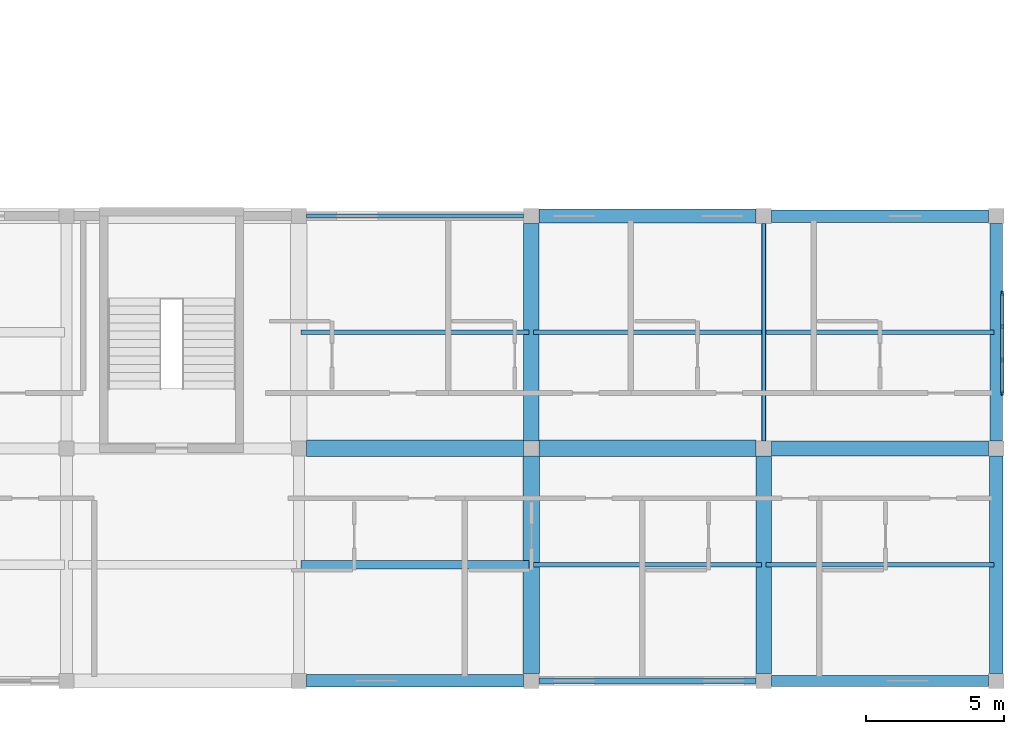
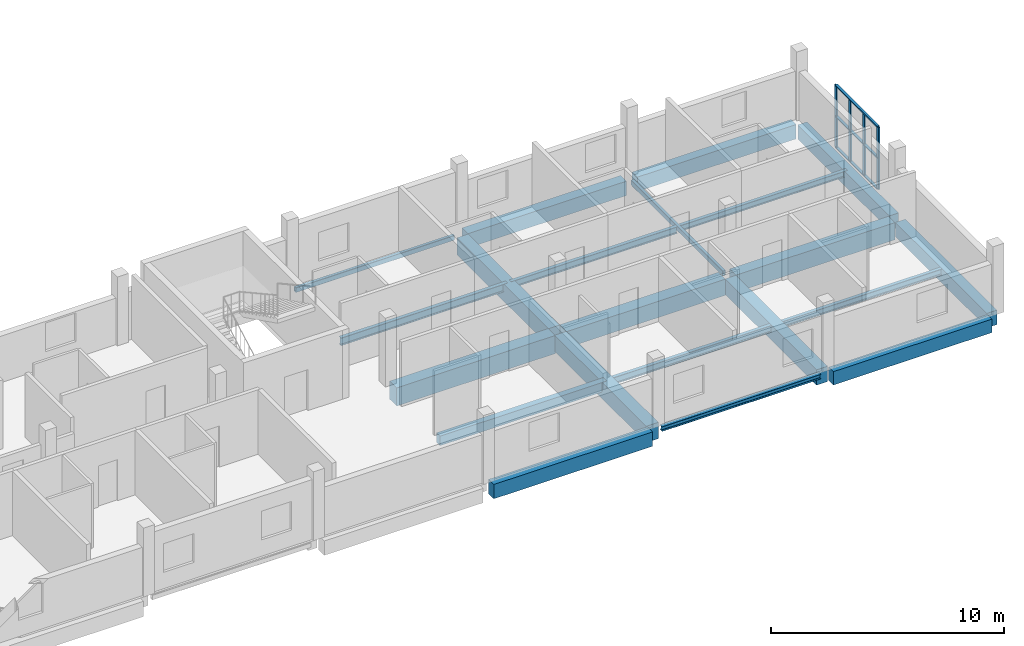
# One storey, part 5 of 20: 21 beams, 7 members, 1 element without a shape of its own.
"""IFC4 building model written with IfcOpenShell, lengths in metres."""

import ifcopenshell
import ifcopenshell.guid

model = None  # the IFC model being written
_history = None  # IfcOwnerHistory: only IFC2X3 demands one
_inside = {}  # id of a spatial element -> (the spatial element, [elements in it])
_under = {}  # id of a project, library or spatial element -> (it, [spatial elements below it])
_declared = {}  # id of a project -> (the project, [libraries it declares])
_typed = {}  # id of a type object -> (the type object, [elements of that type])
_made_of = {}  # id of a material, layer set ... -> (it, [elements and type objects made of it])


def new_model(schema):
    """Start an empty IFC model of exactly this schema.

    Asked for "IFC4X3", IfcOpenShell would pick the latest addendum, in which some entities
    have other attributes; the version numbers below select the first issue.
    IFC2X3 requires an IfcOwnerHistory on every rooted entity: one is made here for all.
    """
    global model, _history
    if schema == "IFC4X3":
        model = ifcopenshell.file(schema_version=(4, 3, 0, 0))
    else:
        model = ifcopenshell.file(schema=schema)
    _inside.clear()
    _under.clear()
    _declared.clear()
    _typed.clear()
    _made_of.clear()
    _history = None
    if model.schema == "IFC2X3":
        org = make("IfcOrganization", Name="unknown")
        user = make(
            "IfcPersonAndOrganization",
            ThePerson=make("IfcPerson", FamilyName="unknown"),
            TheOrganization=org,
        )
        app = make(
            "IfcApplication",
            ApplicationDeveloper=org,
            Version="unknown",
            ApplicationFullName="unknown",
            ApplicationIdentifier="unknown",
        )
        _history = make(
            "IfcOwnerHistory",
            OwningUser=user,
            OwningApplication=app,
            ChangeAction="ADDED",
            CreationDate=0,
        )
    return model


def make(cls, **values):
    """One entity of the class cls with the attributes given. An attribute that is None is left unset."""
    return model.create_entity(
        cls, **{name: value for name, value in values.items() if value is not None}
    )


def rooted(cls, **values):
    """An entity with a GlobalId (a new one), such as an element, a storey or a relation."""
    return make(cls, GlobalId=ifcopenshell.guid.new(), OwnerHistory=_history, **values)


def si_unit(unit_type, name, prefix=None):
    """IfcSIUnit, for example si_unit("LENGTHUNIT", "METRE", prefix="MILLI")."""
    return make("IfcSIUnit", UnitType=unit_type, Prefix=prefix, Name=name)


def derived_unit(unit_type, elements):
    """IfcDerivedUnit: a product of units, each with its exponent."""
    return make(
        "IfcDerivedUnit",
        Elements=[
            make("IfcDerivedUnitElement", Unit=unit, Exponent=power)
            for unit, power in elements
        ],
        UnitType=unit_type,
    )


def assignment(units):
    """IfcUnitAssignment: the units of a project."""
    return None if units is None else make("IfcUnitAssignment", Units=units)


def point(xyz):
    """IfcCartesianPoint."""
    return None if xyz is None else make("IfcCartesianPoint", Coordinates=xyz)


def direction(xyz):
    """IfcDirection."""
    return None if xyz is None else make("IfcDirection", DirectionRatios=xyz)


def frame(location, z_axis=None, x_axis=None):
    """IfcAxis2Placement3D, a coordinate frame: its origin and axes. An axis left out is left unset."""
    return make(
        "IfcAxis2Placement3D",
        Location=point(location),
        Axis=direction(z_axis),
        RefDirection=direction(x_axis),
    )


def frame_2d(location, x_axis=None):
    """IfcAxis2Placement2D, a coordinate frame in the plane: its origin and x axis."""
    return make(
        "IfcAxis2Placement2D", Location=point(location), RefDirection=direction(x_axis)
    )


def origin():
    """The frame at (0, 0, 0) with its axes left unset."""
    return frame((0.0, 0.0, 0.0))


def origin_2d():
    """The frame at (0, 0) in the plane with its x axis left unset."""
    return frame_2d((0.0, 0.0))


def place(relative_to, where):
    """IfcLocalPlacement: puts the frame where relative to a parent placement (None: the world)."""
    return make(
        "IfcLocalPlacement", PlacementRelTo=relative_to, RelativePlacement=where
    )


def context(
    kind, dimensions, precision=None, world=None, true_north=None, identifier=None
):
    """IfcGeometricRepresentationContext, for example the 3D "Model" context."""
    return make(
        "IfcGeometricRepresentationContext",
        ContextIdentifier=identifier,
        ContextType=kind,
        CoordinateSpaceDimension=dimensions,
        Precision=precision,
        WorldCoordinateSystem=world,
        TrueNorth=true_north,
    )


def subcontext(parent, identifier, kind, view, scale=None):
    """IfcGeometricRepresentationSubContext, for example "Body" below "Model"."""
    return make(
        "IfcGeometricRepresentationSubContext",
        ContextIdentifier=identifier,
        ContextType=kind,
        ParentContext=parent,
        TargetScale=scale,
        TargetView=view,
    )


def project(units=None, contexts=None):
    """IfcProject with its units and contexts."""
    return rooted(
        "IfcProject",
        Name="project",
        RepresentationContexts=contexts,
        UnitsInContext=assignment(units),
    )


def spatial(cls, under=None, at=None, **own):
    """A site, building, storey or space (cls), placed at a placement, below another one or the project."""
    s = rooted(cls, ObjectPlacement=at, **own)
    if under is not None:
        _under.setdefault(under.id(), (under, []))[1].append(s)
    return s


def profile(cls, at=None, kind="AREA", **sizes):
    """A parametric profile (cls). Its sizes go by their IFC names, for example OverallWidth=200.0."""
    return make(cls, ProfileType=kind, Position=at, **sizes)


def rectangle(**sizes):
    """IfcRectangleProfileDef."""
    return profile("IfcRectangleProfileDef", **sizes)


def hollow_rectangle(**sizes):
    """IfcRectangleHollowProfileDef."""
    return profile("IfcRectangleHollowProfileDef", **sizes)


def i_section(**sizes):
    """IfcIShapeProfileDef."""
    return profile("IfcIShapeProfileDef", **sizes)


def extrude(swept, where, along, depth):
    """IfcExtrudedAreaSolid: the profile swept, set in the frame where, extruded along a direction by depth."""
    return make(
        "IfcExtrudedAreaSolid",
        SweptArea=swept,
        Position=where,
        ExtrudedDirection=direction(along),
        Depth=depth,
    )


def shape(context_of_items, identifier, shape_type, items):
    """IfcShapeRepresentation: the items that make up one representation, for example the "Body"."""
    return make(
        "IfcShapeRepresentation",
        ContextOfItems=context_of_items,
        RepresentationIdentifier=identifier,
        RepresentationType=shape_type,
        Items=items,
    )


def material(Name=None, Category=None):
    """IfcMaterial."""
    return make("IfcMaterial", Name=Name, Category=Category)


def material_profile(
    of_material, cross_section, Name=None, Category=None, Priority=None
):
    """IfcMaterialProfile: a cross section and its material."""
    return make(
        "IfcMaterialProfile",
        Name=Name,
        Material=of_material,
        Profile=cross_section,
        Priority=Priority,
        Category=Category,
    )


def profile_set(profiles, Name=None, composite=None):
    """IfcMaterialProfileSet."""
    return make(
        "IfcMaterialProfileSet",
        Name=Name,
        MaterialProfiles=profiles,
        CompositeProfile=composite,
    )


def made_of(thing, what):
    """Note that an element or type object is made of a material, layer set ...; save() writes the relation."""
    if what is not None:
        _made_of.setdefault(what.id(), (what, []))[1].append(thing)
    return thing


def type_object(cls, material=None, **own):
    """A type object (cls), such as IfcWallType, which elements share."""
    return made_of(rooted(cls, **own), material)


def element(
    cls,
    number,
    at=None,
    inside=None,
    cuts=None,
    type_object=None,
    material=None,
    context=None,
    identifier="Body",
    shape_type=None,
    held_by="IfcProductDefinitionShape",
    body=None,
    shapes=None,
    **own,
):
    """One element of the class cls, such as IfcWall. Its Tag is "e" and its number.

    at: its placement. inside: the storey or other place that contains it. cuts: it is an
    opening in that element (IfcRelVoidsElement). A single representation is given by context,
    identifier, shape_type and body (its items); several are given by shapes. held_by: the class
    of the entity that holds the representations. save() writes the other relations.
    """
    e = rooted(cls, Tag="e%d" % number, ObjectPlacement=at, **own)
    if body is not None:
        shapes = [shape(context, identifier, shape_type, body)]
    if shapes is not None:
        e.Representation = make(held_by, Representations=shapes)
    if inside is not None:
        _inside.setdefault(inside.id(), (inside, []))[1].append(e)
    if cuts is not None:
        rooted(
            "IfcRelVoidsElement", RelatingBuildingElement=cuts, RelatedOpeningElement=e
        )
    if type_object is not None:
        _typed.setdefault(type_object.id(), (type_object, []))[1].append(e)
    return made_of(e, material)


def aggregate(whole, parts):
    """IfcRelAggregates: a whole, such as a stair, and the parts it consists of."""
    return rooted("IfcRelAggregates", RelatingObject=whole, RelatedObjects=parts)


def save(model, path):
    """Write the relations noted so far, then the file.

    IfcRelAggregates (storeys below a building ...), IfcRelContainedInSpatialStructure (elements
    in a storey), IfcRelDefinesByType, IfcRelAssociatesMaterial and IfcRelDeclares: one each for
    every whole, place, type object, material and project.
    """
    for whole, parts in _under.values():
        aggregate(whole, parts)
    for where, things in _inside.values():
        rooted(
            "IfcRelContainedInSpatialStructure",
            RelatedElements=things,
            RelatingStructure=where,
        )
    for kind, things in _typed.values():
        rooted("IfcRelDefinesByType", RelatedObjects=things, RelatingType=kind)
    for what, things in _made_of.values():
        rooted("IfcRelAssociatesMaterial", RelatedObjects=things, RelatingMaterial=what)
    for by, libraries in _declared.values():
        rooted("IfcRelDeclares", RelatingContext=by, RelatedDefinitions=libraries)
    model.write(path)


model = new_model("IFC4")

# Units and contexts
model_context = context("Model", 3, precision=1e-05, world=origin(), true_north=direction((0.0, 1.0)))
body_context = subcontext(model_context, "Body", "Model", "MODEL_VIEW")
ifc_project = project(units=[si_unit("LENGTHUNIT", "METRE"), si_unit("AREAUNIT", "SQUARE_METRE"), si_unit("VOLUMEUNIT", "CUBIC_METRE"), si_unit("PLANEANGLEUNIT", "RADIAN"), si_unit("MASSUNIT", "GRAM", prefix="KILO"), derived_unit("THERMALTRANSMITTANCEUNIT", [(si_unit("POWERUNIT", "WATT"), 1), (si_unit("LENGTHUNIT", "METRE"), -2), (si_unit("THERMODYNAMICTEMPERATUREUNIT", "KELVIN"), -1)])], contexts=[model_context])

# Site, building, storey
site_placement = place(None, origin())
site = spatial("IfcSite", under=ifc_project, at=site_placement, CompositionType="ELEMENT")
building_placement = place(site_placement, origin())
building = spatial("IfcBuilding", under=site, at=building_placement, Name="Barrovel Congress Hotel", CompositionType="ELEMENT")
storey_placement = place(building_placement, frame((0.0, 0.0, 36.300048828125)))
storey = spatial("IfcBuildingStorey", under=building, at=storey_placement, Name="L09", CompositionType="ELEMENT", Elevation=36.300048828125)

# Beams
ifc_material_1 = material(Name="Concrete C40", Category="concrete")
ifc_material_profile_1 = material_profile(ifc_material_1, rectangle(XDim=0.300048828125, YDim=0.5, at=origin_2d()), Name="RC300x500")
ifc_profile_set_1 = profile_set([ifc_material_profile_1], Name="Concrete C40")
beam_type_1 = type_object("IfcBeamType", Name="BM-RC300x500", PredefinedType="JOIST", material=ifc_profile_set_1)
beam_1_placement = place(storey_placement, frame((109.280029296875, 8.39990234375, -0.469970703125), z_axis=(1.0, 0.0, 0.0), x_axis=(0.0, 1.0, 0.0)))
element("IfcBeam", 1, at=beam_1_placement, inside=storey, type_object=beam_type_1, Name="JST:L09:109.2:8.4", PredefinedType="JOIST", context=body_context, shape_type="SweptSolid", body=[
    extrude(rectangle(XDim=0.300048828125, YDim=0.5, at=origin_2d()), origin(), (0.0, 0.0, 1.0), 8.239990234375),
])
ifc_material_profile_2 = material_profile(ifc_material_1, rectangle(XDim=0.39990234375, YDim=0.699951171875, at=origin_2d()), Name="RC400x700")
ifc_profile_set_2 = profile_set([ifc_material_profile_2], Name="Concrete C40")
beam_type_2 = type_object("IfcBeamType", Name="BM-RC400x700", PredefinedType="BEAM", material=ifc_profile_set_2)
beam_2_placement = place(storey_placement, frame((126.27490234375, 4.199951171875, -0.570068359375), z_axis=(1.0, 0.0, 0.0), x_axis=(0.0, 1.0, 0.0)))
element("IfcBeam", 2, at=beam_2_placement, inside=storey, type_object=beam_type_2, Name="BMX:L09:4.2:126.0-134.4", PredefinedType="BEAM", context=body_context, shape_type="SweptSolid", body=[
    extrude(rectangle(XDim=0.39990234375, YDim=0.699951171875, at=origin_2d()), origin(), (0.0, 0.0, 1.0), 7.85009765625),
])
ifc_material_profile_3 = material_profile(ifc_material_1, rectangle(XDim=0.449951171875, YDim=0.75, at=origin_2d()), Name="RC450x750")
ifc_profile_set_3 = profile_set([ifc_material_profile_3], Name="Concrete C40")
beam_type_3 = type_object("IfcBeamType", Name="BM-RC450x750", PredefinedType="BEAM", material=ifc_profile_set_3)
beam_3_placement = place(storey_placement, frame((109.47509765625, 4.199951171875, -0.594970703125), z_axis=(1.0, 0.0, 0.0), x_axis=(0.0, 1.0, 0.0)))
element("IfcBeam", 3, at=beam_3_placement, inside=storey, type_object=beam_type_3, Name="BMX:L09:4.2:109.2-117.6", PredefinedType="BEAM", context=body_context, shape_type="SweptSolid", body=[
    extrude(rectangle(XDim=0.449951171875, YDim=0.75, at=origin_2d()), origin(), (0.0, 0.0, 1.0), 7.849853515625),
])
for number, where, z_axis, x_axis, name in (
    (4, (126.27490234375, 21.0, -0.594970703125), (1.0, 0.0, 0.0), (0.0, 1.0, 0.0), "BMX:L09:21.0:126.0-134.4"),
    (5, (134.39990234375, 12.875, -0.594970703125), (0.0, 1.0, 0.0), (-1.0, 0.0, 0.0), "BMY:L09:134.4:12.6-21.0"),
):
    element("IfcBeam", number, at=place(storey_placement, frame(where, z_axis=z_axis, x_axis=x_axis)), inside=storey, type_object=beam_type_3, Name=name, PredefinedType="BEAM", context=body_context, shape_type="SweptSolid", body=[
        extrude(rectangle(XDim=0.449951171875, YDim=0.75, at=origin_2d()), origin(), (0.0, 0.0, 1.0), 7.85009765625),
    ])
ifc_material_profile_4 = material_profile(ifc_material_1, rectangle(XDim=0.5, YDim=0.75, at=origin_2d()), Name="RC500x750")
ifc_profile_set_4 = profile_set([ifc_material_profile_4], Name="Concrete C40")
beam_type_4 = type_object("IfcBeamType", Name="BM-RC500x750", PredefinedType="BEAM", material=ifc_profile_set_4)
beam_4_placement = place(storey_placement, frame((117.875, 21.0, -0.594970703125), z_axis=(1.0, 0.0, 0.0), x_axis=(0.0, 1.0, 0.0)))
element("IfcBeam", 6, at=beam_4_placement, inside=storey, type_object=beam_type_4, Name="BMX:L09:21.0:117.6-126.0", PredefinedType="BEAM", context=body_context, shape_type="SweptSolid", body=[
    extrude(rectangle(XDim=0.5, YDim=0.75, at=origin_2d()), origin(), (0.0, 0.0, 1.0), 7.85009765625),
])
beam_5_placement = place(storey_placement, frame((134.39990234375, 4.47509765625, -0.594970703125), z_axis=(0.0, 1.0, 0.0), x_axis=(-1.0, 0.0, 0.0)))
element("IfcBeam", 7, at=beam_5_placement, inside=storey, type_object=beam_type_4, Name="BMY:L09:134.4:4.2-12.6", PredefinedType="BEAM", context=body_context, shape_type="SweptSolid", body=[
    extrude(rectangle(XDim=0.5, YDim=0.75, at=origin_2d()), origin(), (0.0, 0.0, 1.0), 7.849853515625),
])
ifc_material_profile_5 = material_profile(ifc_material_1, rectangle(XDim=0.550048828125, YDim=0.800048828125, at=origin_2d()), Name="RC550x800")
ifc_profile_set_5 = profile_set([ifc_material_profile_5], Name="Concrete C40")
beam_type_5 = type_object("IfcBeamType", Name="BM-RC550x800", PredefinedType="BEAM", material=ifc_profile_set_5)
beam_6_placement = place(storey_placement, frame((126.0, 4.47509765625, -0.6201171875), z_axis=(0.0, 1.0, 0.0), x_axis=(-1.0, 0.0, 0.0)))
element("IfcBeam", 8, at=beam_6_placement, inside=storey, type_object=beam_type_5, Name="BMY:L09:126.0:4.2-12.6", PredefinedType="BEAM", context=body_context, shape_type="SweptSolid", body=[
    extrude(rectangle(XDim=0.550048828125, YDim=0.800048828125, at=origin_2d()), origin(), (0.0, 0.0, 1.0), 7.849853515625),
])
ifc_material_profile_6 = material_profile(ifc_material_1, rectangle(XDim=0.550048828125, YDim=0.89990234375, at=origin_2d()), Name="RC550x900")
ifc_profile_set_6 = profile_set([ifc_material_profile_6], Name="Concrete C40")
beam_type_6 = type_object("IfcBeamType", Name="BM-RC550x900", PredefinedType="BEAM", material=ifc_profile_set_6)
for number, where, z_axis, x_axis, name in (
    (9, (126.27490234375, 12.60009765625, -0.670166015625), (1.0, 0.0, 0.0), (0.0, 1.0, 0.0), "BMX:L09:12.6:126.0-134.4"),
    (10, (117.60009765625, 12.875, -0.670166015625), (0.0, 1.0, 0.0), (-1.0, 0.0, 0.0), "BMY:L09:117.6:12.6-21.0"),
):
    element("IfcBeam", number, at=place(storey_placement, frame(where, z_axis=z_axis, x_axis=x_axis)), inside=storey, type_object=beam_type_6, Name=name, PredefinedType="BEAM", context=body_context, shape_type="SweptSolid", body=[
        extrude(rectangle(XDim=0.550048828125, YDim=0.89990234375, at=origin_2d()), origin(), (0.0, 0.0, 1.0), 7.85009765625),
    ])
ifc_material_profile_7 = material_profile(ifc_material_1, rectangle(XDim=0.60009765625, YDim=0.85009765625, at=origin_2d()), Name="RC600x850")
ifc_profile_set_7 = profile_set([ifc_material_profile_7], Name="Concrete C40")
beam_type_7 = type_object("IfcBeamType", Name="BM-RC600x850", PredefinedType="BEAM", material=ifc_profile_set_7)
beam_7_placement = place(storey_placement, frame((117.875, 12.60009765625, -0.64501953125), z_axis=(1.0, 0.0, 0.0), x_axis=(0.0, 1.0, 0.0)))
element("IfcBeam", 11, at=beam_7_placement, inside=storey, type_object=beam_type_7, Name="BMX:L09:12.6:117.6-126.0", PredefinedType="BEAM", context=body_context, shape_type="SweptSolid", body=[
    extrude(rectangle(XDim=0.60009765625, YDim=0.85009765625, at=origin_2d()), origin(), (0.0, 0.0, 1.0), 7.85009765625),
])
beam_8_placement = place(storey_placement, frame((117.60009765625, 4.47509765625, -0.64501953125), z_axis=(0.0, 1.0, 0.0), x_axis=(-1.0, 0.0, 0.0)))
element("IfcBeam", 12, at=beam_8_placement, inside=storey, type_object=beam_type_7, Name="BMY:L09:117.6:4.2-12.6", PredefinedType="BEAM", context=body_context, shape_type="SweptSolid", body=[
    extrude(rectangle(XDim=0.60009765625, YDim=0.85009765625, at=origin_2d()), origin(), (0.0, 0.0, 1.0), 7.849853515625),
])
ifc_material_profile_8 = material_profile(ifc_material_1, rectangle(XDim=0.60009765625, YDim=0.949951171875, at=origin_2d()), Name="RC600x950")
ifc_profile_set_8 = profile_set([ifc_material_profile_8], Name="Concrete C40")
beam_type_8 = type_object("IfcBeamType", Name="BM-RC600x950", PredefinedType="BEAM", material=ifc_profile_set_8)
beam_9_placement = place(storey_placement, frame((109.47509765625, 12.60009765625, -0.695068359375), z_axis=(1.0, 0.0, 0.0), x_axis=(0.0, 1.0, 0.0)))
element("IfcBeam", 13, at=beam_9_placement, inside=storey, type_object=beam_type_8, Name="BMX:L09:12.6:109.2-117.6", PredefinedType="BEAM", context=body_context, shape_type="SweptSolid", body=[
    extrude(rectangle(XDim=0.60009765625, YDim=0.949951171875, at=origin_2d()), origin(), (0.0, 0.0, 1.0), 7.849853515625),
])

# Curtain wall, members
ifc_material_2 = material(Name="Anodised Aluminium Alloy 6063-T6", Category="aluminium")
curtain_wall_type = type_object("IfcCurtainWallType", Name="CW-UN-3600x3200", PredefinedType="USERDEFINED", material=ifc_material_2)
curtain_wall_placement = place(storey_placement, origin())
curtain_wall = element("IfcCurtainWall", 14, at=curtain_wall_placement, inside=storey, type_object=curtain_wall_type, Name="CW:L09:UN-1", ObjectType="UNITISED CURTAIN WALL", PredefinedType="USERDEFINED")
ifc_material_profile_9 = material_profile(ifc_material_2, rectangle(XDim=0.06005859375, YDim=0.1650390625, at=origin_2d()), Name="AL-M60x165")
ifc_profile_set_9 = profile_set([ifc_material_profile_9], Name="Anodised Aluminium Alloy 6063-T6")
member_type_1 = type_object("IfcMemberType", Name="CWM-AL-M60x165", PredefinedType="MULLION", material=ifc_profile_set_9)
member_1_placement = place(storey_placement, frame((134.6201171875, 14.60009765625, 0.0), z_axis=(0.0, 0.0, 1.0), x_axis=(1.0, 0.0, 0.0)))
member_1 = element("IfcMember", 15, at=member_1_placement, type_object=member_type_1, Name="CW:L09:UN-1:M0", PredefinedType="MULLION", context=body_context, shape_type="SweptSolid", body=[
    extrude(rectangle(XDim=0.06005859375, YDim=0.1650390625, at=origin_2d()), origin(), (0.0, 0.0, 1.0), 3.25),
])
member_2_placement = place(storey_placement, frame((134.6201171875, 15.800048828125, 0.0), z_axis=(0.0, 0.0, 1.0), x_axis=(1.0, 0.0, 0.0)))
member_2 = element("IfcMember", 16, at=member_2_placement, type_object=member_type_1, Name="CW:L09:UN-1:M1", PredefinedType="MULLION", context=body_context, shape_type="SweptSolid", body=[
    extrude(rectangle(XDim=0.06005859375, YDim=0.1650390625, at=origin_2d()), origin(), (0.0, 0.0, 1.0), 3.25),
])
member_3_placement = place(storey_placement, frame((134.6201171875, 17.0, 0.0), z_axis=(0.0, 0.0, 1.0), x_axis=(1.0, 0.0, 0.0)))
member_3 = element("IfcMember", 17, at=member_3_placement, type_object=member_type_1, Name="CW:L09:UN-1:M2", PredefinedType="MULLION", context=body_context, shape_type="SweptSolid", body=[
    extrude(rectangle(XDim=0.06005859375, YDim=0.1650390625, at=origin_2d()), origin(), (0.0, 0.0, 1.0), 3.25),
])
member_4_placement = place(storey_placement, frame((134.6201171875, 18.199951171875, 0.0), z_axis=(0.0, 0.0, 1.0), x_axis=(1.0, 0.0, 0.0)))
member_4 = element("IfcMember", 18, at=member_4_placement, type_object=member_type_1, Name="CW:L09:UN-1:M3", PredefinedType="MULLION", context=body_context, shape_type="SweptSolid", body=[
    extrude(rectangle(XDim=0.06005859375, YDim=0.1650390625, at=origin_2d()), origin(), (0.0, 0.0, 1.0), 3.25),
])
ifc_material_profile_10 = material_profile(ifc_material_2, rectangle(XDim=0.125, YDim=0.06005859375, at=origin_2d()), Name="AL-T60x125")
ifc_profile_set_10 = profile_set([ifc_material_profile_10], Name="Anodised Aluminium Alloy 6063-T6")
member_type_2 = type_object("IfcMemberType", Name="CWT-AL-T60x125", PredefinedType="USERDEFINED", material=ifc_profile_set_10)
member_5_placement = place(storey_placement, frame((134.6201171875, 14.60009765625, 0.0), z_axis=(0.0, 1.0, 0.0), x_axis=(-1.0, 0.0, 0.0)))
member_5 = element("IfcMember", 19, at=member_5_placement, type_object=member_type_2, Name="CW:L09:UN-1:T0", ObjectType="TRANSOM", PredefinedType="USERDEFINED", context=body_context, shape_type="SweptSolid", body=[
    extrude(rectangle(XDim=0.125, YDim=0.06005859375, at=origin_2d()), origin(), (0.0, 0.0, 1.0), 3.599853515625),
])
member_6_placement = place(storey_placement, frame((134.6201171875, 14.60009765625, 1.625), z_axis=(0.0, 1.0, 0.0), x_axis=(-1.0, 0.0, 0.0)))
member_6 = element("IfcMember", 20, at=member_6_placement, type_object=member_type_2, Name="CW:L09:UN-1:T1", ObjectType="TRANSOM", PredefinedType="USERDEFINED", context=body_context, shape_type="SweptSolid", body=[
    extrude(rectangle(XDim=0.125, YDim=0.06005859375, at=origin_2d()), origin(), (0.0, 0.0, 1.0), 3.599853515625),
])
member_7_placement = place(storey_placement, frame((134.6201171875, 14.60009765625, 3.25), z_axis=(0.0, 1.0, 0.0), x_axis=(-1.0, 0.0, 0.0)))
member_7 = element("IfcMember", 21, at=member_7_placement, type_object=member_type_2, Name="CW:L09:UN-1:T2", ObjectType="TRANSOM", PredefinedType="USERDEFINED", context=body_context, shape_type="SweptSolid", body=[
    extrude(rectangle(XDim=0.125, YDim=0.06005859375, at=origin_2d()), origin(), (0.0, 0.0, 1.0), 3.599853515625),
])
aggregate(curtain_wall, [member_1, member_2, member_3, member_4, member_5, member_6, member_7])

# Beams
ifc_material_3 = material(Name="Steel ASTM A500 Grade C", Category="steel")
ifc_material_profile_11 = material_profile(ifc_material_3, hollow_rectangle(XDim=0.15234375, YDim=0.25390625, WallThickness=0.0087890625, InnerFilletRadius=0.0087890625, OuterFilletRadius=0.017578125, at=origin_2d()), Name="HSS254x152x9.5")
ifc_profile_set_11 = profile_set([ifc_material_profile_11], Name="Steel ASTM A500 Grade C")
beam_type_9 = type_object("IfcBeamType", Name="SBM-HSS254x152x9.5", PredefinedType="SPANDREL", material=ifc_profile_set_11)
beam_10_placement = place(storey_placement, frame((109.47509765625, 21.0, -0.34716796875), z_axis=(1.0, 0.0, 0.0), x_axis=(0.0, 1.0, 0.0)))
element("IfcBeam", 22, at=beam_10_placement, inside=storey, type_object=beam_type_9, Name="BMX:L09:21.0:109.2-117.6", PredefinedType="SPANDREL", context=body_context, shape_type="SweptSolid", body=[
    extrude(hollow_rectangle(XDim=0.15234375, YDim=0.25390625, WallThickness=0.0087890625, InnerFilletRadius=0.0087890625, OuterFilletRadius=0.017578125, at=origin_2d()), origin(), (0.0, 0.0, 1.0), 7.849853515625),
])
beam_11_placement = place(storey_placement, frame((126.0, 12.875, -0.34716796875), z_axis=(0.0, 1.0, 0.0), x_axis=(-1.0, 0.0, 0.0)))
element("IfcBeam", 23, at=beam_11_placement, inside=storey, type_object=beam_type_9, Name="BMY:L09:126.0:12.6-21.0", PredefinedType="SPANDREL", context=body_context, shape_type="SweptSolid", body=[
    extrude(hollow_rectangle(XDim=0.15234375, YDim=0.25390625, WallThickness=0.0087890625, InnerFilletRadius=0.0087890625, OuterFilletRadius=0.017578125, at=origin_2d()), origin(), (0.0, 0.0, 1.0), 7.85009765625),
])
ifc_material_4 = material(Name="Steel ASTM A992 Grade 50", Category="steel")
ifc_material_profile_12 = material_profile(ifc_material_4, i_section(OverallWidth=0.201904296875, OverallDepth=0.2470703125, WebThickness=0.00732421875, FlangeThickness=0.010986328125, FilletRadius=0.011962890625, at=origin_2d()), Name="W250x49")
ifc_profile_set_12 = profile_set([ifc_material_profile_12], Name="Steel ASTM A992 Grade 50")
beam_type_10 = type_object("IfcBeamType", Name="SBM-W250x49", PredefinedType="SPANDREL", material=ifc_profile_set_12)
beam_12_placement = place(storey_placement, frame((117.875, 4.199951171875, -0.343505859375), z_axis=(1.0, 0.0, 0.0), x_axis=(0.0, 1.0, 0.0)))
element("IfcBeam", 24, at=beam_12_placement, inside=storey, type_object=beam_type_10, Name="BMX:L09:4.2:117.6-126.0", PredefinedType="SPANDREL", context=body_context, shape_type="SweptSolid", body=[
    extrude(i_section(OverallWidth=0.201904296875, OverallDepth=0.2470703125, WebThickness=0.00732421875, FlangeThickness=0.010986328125, FilletRadius=0.011962890625, at=origin_2d()), origin(), (0.0, 0.0, 1.0), 7.85009765625),
])
ifc_material_profile_13 = material_profile(ifc_material_4, i_section(OverallWidth=0.1650390625, OverallDepth=0.31005859375, WebThickness=0.005859375, FlangeThickness=0.009765625, FilletRadius=0.010986328125, at=origin_2d()), Name="W310x39")
ifc_profile_set_13 = profile_set([ifc_material_profile_13], Name="Steel ASTM A992 Grade 50")
beam_type_11 = type_object("IfcBeamType", Name="SBM-W310x39", PredefinedType="JOIST", material=ifc_profile_set_13)
beam_13_placement = place(storey_placement, frame((126.080078125, 16.800048828125, -0.375), z_axis=(1.0, 0.0, 0.0), x_axis=(0.0, 1.0, 0.0)))
element("IfcBeam", 25, at=beam_13_placement, inside=storey, type_object=beam_type_11, Name="JST:L09:126.0:16.8", PredefinedType="JOIST", context=body_context, shape_type="SweptSolid", body=[
    extrude(i_section(OverallWidth=0.1650390625, OverallDepth=0.31005859375, WebThickness=0.005859375, FlangeThickness=0.009765625, FilletRadius=0.010986328125, at=origin_2d()), origin(), (0.0, 0.0, 1.0), 8.239990234375),
])
ifc_material_profile_14 = material_profile(ifc_material_4, i_section(OverallWidth=0.1669921875, OverallDepth=0.31689453125, WebThickness=0.007568359375, FlangeThickness=0.01318359375, FilletRadius=0.010986328125, at=origin_2d()), Name="W310x52")
ifc_profile_set_14 = profile_set([ifc_material_profile_14], Name="Steel ASTM A992 Grade 50")
beam_type_12 = type_object("IfcBeamType", Name="SBM-W310x52", PredefinedType="JOIST", material=ifc_profile_set_14)
beam_14_placement = place(storey_placement, frame((126.080078125, 8.39990234375, -0.378662109375), z_axis=(1.0, 0.0, 0.0), x_axis=(0.0, 1.0, 0.0)))
element("IfcBeam", 26, at=beam_14_placement, inside=storey, type_object=beam_type_12, Name="JST:L09:126.0:8.4", PredefinedType="JOIST", context=body_context, shape_type="SweptSolid", body=[
    extrude(i_section(OverallWidth=0.1669921875, OverallDepth=0.31689453125, WebThickness=0.007568359375, FlangeThickness=0.01318359375, FilletRadius=0.010986328125, at=origin_2d()), origin(), (0.0, 0.0, 1.0), 8.239990234375),
])
ifc_material_profile_15 = material_profile(ifc_material_4, i_section(OverallWidth=0.1708984375, OverallDepth=0.35205078125, WebThickness=0.0068359375, FlangeThickness=0.009765625, FilletRadius=0.011962890625, at=origin_2d()), Name="W360x44")
ifc_profile_set_15 = profile_set([ifc_material_profile_15], Name="Steel ASTM A992 Grade 50")
beam_type_13 = type_object("IfcBeamType", Name="SBM-W360x44", PredefinedType="JOIST", material=ifc_profile_set_15)
beam_15_placement = place(storey_placement, frame((117.679931640625, 16.800048828125, -0.39599609375), z_axis=(1.0, 0.0, 0.0), x_axis=(0.0, 1.0, 0.0)))
element("IfcBeam", 27, at=beam_15_placement, inside=storey, type_object=beam_type_13, Name="JST:L09:117.6:16.8", PredefinedType="JOIST", context=body_context, shape_type="SweptSolid", body=[
    extrude(i_section(OverallWidth=0.1708984375, OverallDepth=0.35205078125, WebThickness=0.0068359375, FlangeThickness=0.009765625, FilletRadius=0.011962890625, at=origin_2d()), origin(), (0.0, 0.0, 1.0), 8.239990234375),
])
ifc_material_profile_16 = material_profile(ifc_material_4, i_section(OverallWidth=0.172119140625, OverallDepth=0.35791015625, WebThickness=0.0078125, FlangeThickness=0.01318359375, FilletRadius=0.011962890625, at=origin_2d()), Name="W360x57")
ifc_profile_set_16 = profile_set([ifc_material_profile_16], Name="Steel ASTM A992 Grade 50")
beam_type_14 = type_object("IfcBeamType", Name="SBM-W360x57", PredefinedType="JOIST", material=ifc_profile_set_16)
beam_16_placement = place(storey_placement, frame((117.679931640625, 8.39990234375, -0.399169921875), z_axis=(1.0, 0.0, 0.0), x_axis=(0.0, 1.0, 0.0)))
element("IfcBeam", 28, at=beam_16_placement, inside=storey, type_object=beam_type_14, Name="JST:L09:117.6:8.4", PredefinedType="JOIST", context=body_context, shape_type="SweptSolid", body=[
    extrude(i_section(OverallWidth=0.172119140625, OverallDepth=0.35791015625, WebThickness=0.0078125, FlangeThickness=0.01318359375, FilletRadius=0.011962890625, at=origin_2d()), origin(), (0.0, 0.0, 1.0), 8.239990234375),
])
ifc_material_profile_17 = material_profile(ifc_material_4, i_section(OverallWidth=0.177001953125, OverallDepth=0.403076171875, WebThickness=0.007568359375, FlangeThickness=0.010986328125, FilletRadius=0.011962890625, at=origin_2d()), Name="W410x53")
ifc_profile_set_17 = profile_set([ifc_material_profile_17], Name="Steel ASTM A992 Grade 50")
beam_type_15 = type_object("IfcBeamType", Name="SBM-W410x53", PredefinedType="JOIST", material=ifc_profile_set_17)
beam_17_placement = place(storey_placement, frame((109.280029296875, 16.800048828125, -0.421630859375), z_axis=(1.0, 0.0, 0.0), x_axis=(0.0, 1.0, 0.0)))
element("IfcBeam", 29, at=beam_17_placement, inside=storey, type_object=beam_type_15, Name="JST:L09:109.2:16.8", PredefinedType="JOIST", context=body_context, shape_type="SweptSolid", body=[
    extrude(i_section(OverallWidth=0.177001953125, OverallDepth=0.403076171875, WebThickness=0.007568359375, FlangeThickness=0.010986328125, FilletRadius=0.011962890625, at=origin_2d()), origin(), (0.0, 0.0, 1.0), 8.239990234375),
])

save(model, "model.ifc")
